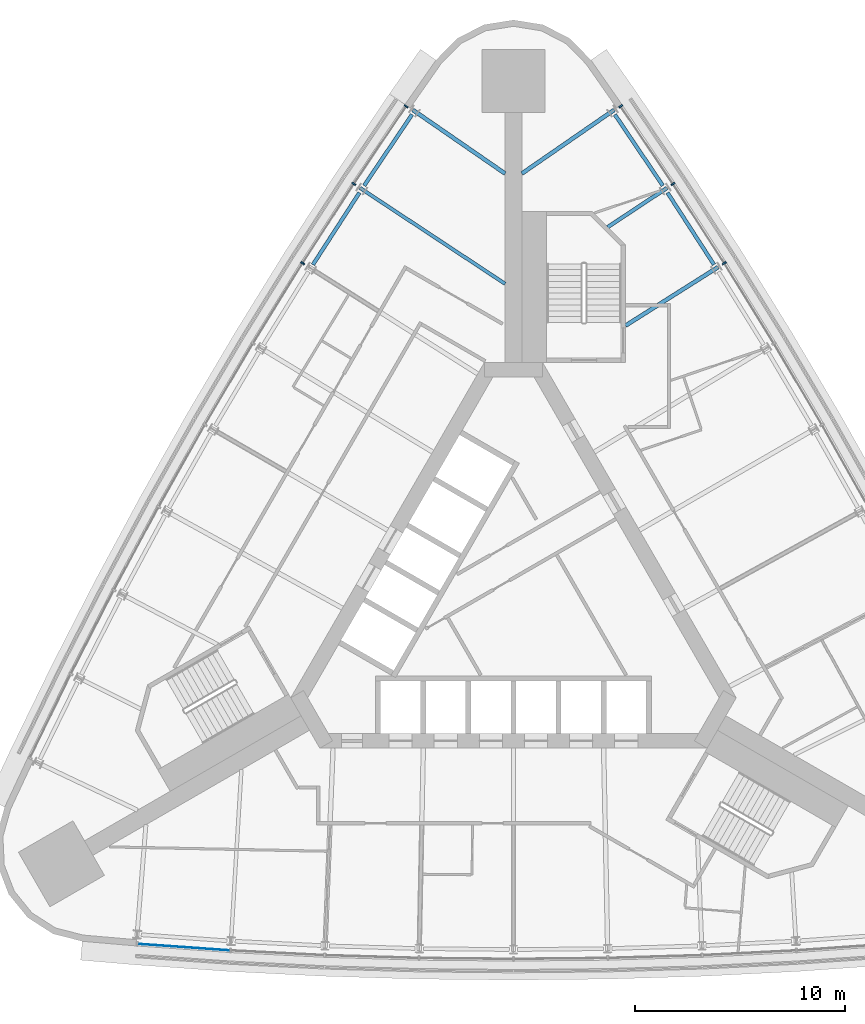
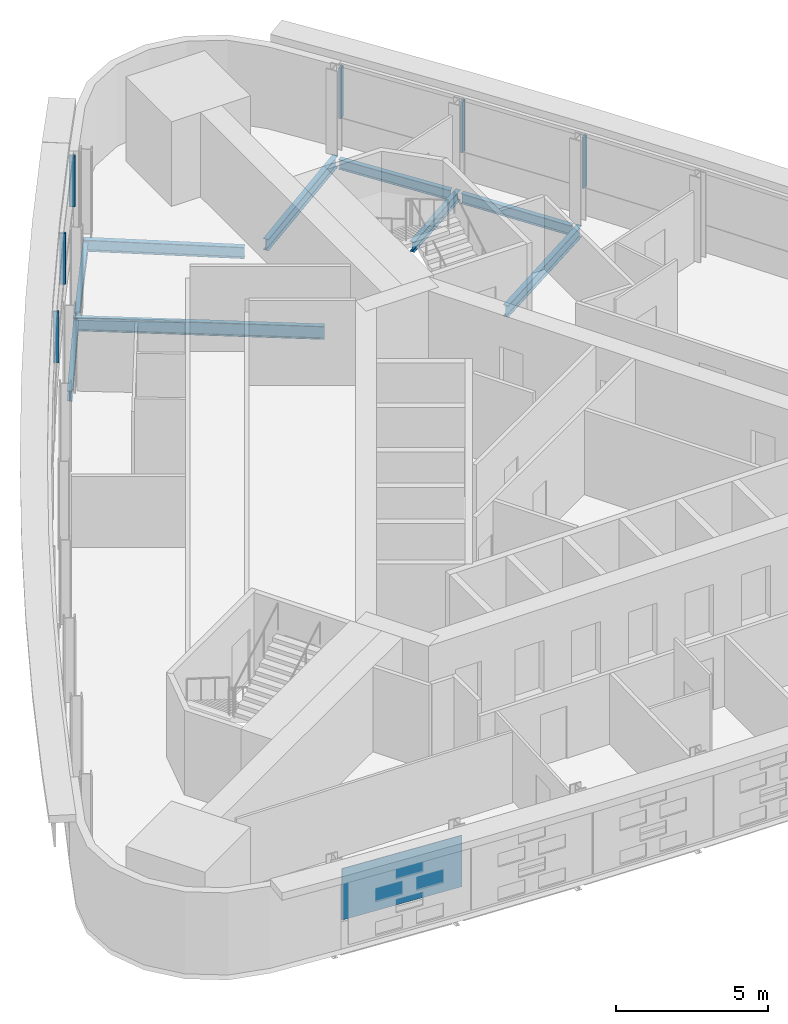
# One storey, part 5 of 11: 9 beams, 6 members, 1 plate, 3 elements without a shape of their own.
"""IFC4 building model written with IfcOpenShell, lengths in metres."""

import ifcopenshell
import ifcopenshell.guid

model = None  # the IFC model being written
_history = None  # IfcOwnerHistory: only IFC2X3 demands one
_inside = {}  # id of a spatial element -> (the spatial element, [elements in it])
_under = {}  # id of a project, library or spatial element -> (it, [spatial elements below it])
_declared = {}  # id of a project -> (the project, [libraries it declares])
_typed = {}  # id of a type object -> (the type object, [elements of that type])
_made_of = {}  # id of a material, layer set ... -> (it, [elements and type objects made of it])


def new_model(schema):
    """Start an empty IFC model of exactly this schema.

    Asked for "IFC4X3", IfcOpenShell would pick the latest addendum, in which some entities
    have other attributes; the version numbers below select the first issue.
    IFC2X3 requires an IfcOwnerHistory on every rooted entity: one is made here for all.
    """
    global model, _history
    if schema == "IFC4X3":
        model = ifcopenshell.file(schema_version=(4, 3, 0, 0))
    else:
        model = ifcopenshell.file(schema=schema)
    _inside.clear()
    _under.clear()
    _declared.clear()
    _typed.clear()
    _made_of.clear()
    _history = None
    if model.schema == "IFC2X3":
        org = make("IfcOrganization", Name="unknown")
        user = make(
            "IfcPersonAndOrganization",
            ThePerson=make("IfcPerson", FamilyName="unknown"),
            TheOrganization=org,
        )
        app = make(
            "IfcApplication",
            ApplicationDeveloper=org,
            Version="unknown",
            ApplicationFullName="unknown",
            ApplicationIdentifier="unknown",
        )
        _history = make(
            "IfcOwnerHistory",
            OwningUser=user,
            OwningApplication=app,
            ChangeAction="ADDED",
            CreationDate=0,
        )
    return model


def make(cls, **values):
    """One entity of the class cls with the attributes given. An attribute that is None is left unset."""
    return model.create_entity(
        cls, **{name: value for name, value in values.items() if value is not None}
    )


def rooted(cls, **values):
    """An entity with a GlobalId (a new one), such as an element, a storey or a relation."""
    return make(cls, GlobalId=ifcopenshell.guid.new(), OwnerHistory=_history, **values)


def si_unit(unit_type, name, prefix=None):
    """IfcSIUnit, for example si_unit("LENGTHUNIT", "METRE", prefix="MILLI")."""
    return make("IfcSIUnit", UnitType=unit_type, Prefix=prefix, Name=name)


def assignment(units):
    """IfcUnitAssignment: the units of a project."""
    return None if units is None else make("IfcUnitAssignment", Units=units)


def point(xyz):
    """IfcCartesianPoint."""
    return None if xyz is None else make("IfcCartesianPoint", Coordinates=xyz)


def direction(xyz):
    """IfcDirection."""
    return None if xyz is None else make("IfcDirection", DirectionRatios=xyz)


def frame(location, z_axis=None, x_axis=None):
    """IfcAxis2Placement3D, a coordinate frame: its origin and axes. An axis left out is left unset."""
    return make(
        "IfcAxis2Placement3D",
        Location=point(location),
        Axis=direction(z_axis),
        RefDirection=direction(x_axis),
    )


def frame_2d(location, x_axis=None):
    """IfcAxis2Placement2D, a coordinate frame in the plane: its origin and x axis."""
    return make(
        "IfcAxis2Placement2D", Location=point(location), RefDirection=direction(x_axis)
    )


def origin():
    """The frame at (0, 0, 0) with its axes left unset."""
    return frame((0.0, 0.0, 0.0))


def origin_2d():
    """The frame at (0, 0) in the plane with its x axis left unset."""
    return frame_2d((0.0, 0.0))


def place(relative_to, where):
    """IfcLocalPlacement: puts the frame where relative to a parent placement (None: the world)."""
    return make(
        "IfcLocalPlacement", PlacementRelTo=relative_to, RelativePlacement=where
    )


def context(
    kind, dimensions, precision=None, world=None, true_north=None, identifier=None
):
    """IfcGeometricRepresentationContext, for example the 3D "Model" context."""
    return make(
        "IfcGeometricRepresentationContext",
        ContextIdentifier=identifier,
        ContextType=kind,
        CoordinateSpaceDimension=dimensions,
        Precision=precision,
        WorldCoordinateSystem=world,
        TrueNorth=true_north,
    )


def subcontext(parent, identifier, kind, view, scale=None):
    """IfcGeometricRepresentationSubContext, for example "Body" below "Model"."""
    return make(
        "IfcGeometricRepresentationSubContext",
        ContextIdentifier=identifier,
        ContextType=kind,
        ParentContext=parent,
        TargetScale=scale,
        TargetView=view,
    )


def project(units=None, contexts=None):
    """IfcProject with its units and contexts."""
    return rooted(
        "IfcProject",
        Name="project",
        RepresentationContexts=contexts,
        UnitsInContext=assignment(units),
    )


def spatial(cls, under=None, at=None, **own):
    """A site, building, storey or space (cls), placed at a placement, below another one or the project."""
    s = rooted(cls, ObjectPlacement=at, **own)
    if under is not None:
        _under.setdefault(under.id(), (under, []))[1].append(s)
    return s


def profile(cls, at=None, kind="AREA", **sizes):
    """A parametric profile (cls). Its sizes go by their IFC names, for example OverallWidth=200.0."""
    return make(cls, ProfileType=kind, Position=at, **sizes)


def rectangle(**sizes):
    """IfcRectangleProfileDef."""
    return profile("IfcRectangleProfileDef", **sizes)


def i_section(**sizes):
    """IfcIShapeProfileDef."""
    return profile("IfcIShapeProfileDef", **sizes)


def extrude(swept, where, along, depth):
    """IfcExtrudedAreaSolid: the profile swept, set in the frame where, extruded along a direction by depth."""
    return make(
        "IfcExtrudedAreaSolid",
        SweptArea=swept,
        Position=where,
        ExtrudedDirection=direction(along),
        Depth=depth,
    )


def shape(context_of_items, identifier, shape_type, items):
    """IfcShapeRepresentation: the items that make up one representation, for example the "Body"."""
    return make(
        "IfcShapeRepresentation",
        ContextOfItems=context_of_items,
        RepresentationIdentifier=identifier,
        RepresentationType=shape_type,
        Items=items,
    )


def material(Name=None, Category=None):
    """IfcMaterial."""
    return make("IfcMaterial", Name=Name, Category=Category)


def layer(
    of_material, thickness, ventilated=None, Name=None, Category=None, Priority=None
):
    """IfcMaterialLayer: one layer of a wall or slab, of a material (None: an air gap)."""
    return make(
        "IfcMaterialLayer",
        Material=of_material,
        LayerThickness=thickness,
        IsVentilated=ventilated,
        Name=Name,
        Category=Category,
        Priority=Priority,
    )


def layer_set(layers, Name=None):
    """IfcMaterialLayerSet."""
    return make("IfcMaterialLayerSet", MaterialLayers=layers, LayerSetName=Name)


def material_profile(
    of_material, cross_section, Name=None, Category=None, Priority=None
):
    """IfcMaterialProfile: a cross section and its material."""
    return make(
        "IfcMaterialProfile",
        Name=Name,
        Material=of_material,
        Profile=cross_section,
        Priority=Priority,
        Category=Category,
    )


def profile_set(profiles, Name=None, composite=None):
    """IfcMaterialProfileSet."""
    return make(
        "IfcMaterialProfileSet",
        Name=Name,
        MaterialProfiles=profiles,
        CompositeProfile=composite,
    )


def made_of(thing, what):
    """Note that an element or type object is made of a material, layer set ...; save() writes the relation."""
    if what is not None:
        _made_of.setdefault(what.id(), (what, []))[1].append(thing)
    return thing


def type_object(cls, material=None, **own):
    """A type object (cls), such as IfcWallType, which elements share."""
    return made_of(rooted(cls, **own), material)


def element(
    cls,
    number,
    at=None,
    inside=None,
    cuts=None,
    type_object=None,
    material=None,
    context=None,
    identifier="Body",
    shape_type=None,
    held_by="IfcProductDefinitionShape",
    body=None,
    shapes=None,
    **own,
):
    """One element of the class cls, such as IfcWall. Its Tag is "e" and its number.

    at: its placement. inside: the storey or other place that contains it. cuts: it is an
    opening in that element (IfcRelVoidsElement). A single representation is given by context,
    identifier, shape_type and body (its items); several are given by shapes. held_by: the class
    of the entity that holds the representations. save() writes the other relations.
    """
    e = rooted(cls, Tag="e%d" % number, ObjectPlacement=at, **own)
    if body is not None:
        shapes = [shape(context, identifier, shape_type, body)]
    if shapes is not None:
        e.Representation = make(held_by, Representations=shapes)
    if inside is not None:
        _inside.setdefault(inside.id(), (inside, []))[1].append(e)
    if cuts is not None:
        rooted(
            "IfcRelVoidsElement", RelatingBuildingElement=cuts, RelatedOpeningElement=e
        )
    if type_object is not None:
        _typed.setdefault(type_object.id(), (type_object, []))[1].append(e)
    return made_of(e, material)


def aggregate(whole, parts):
    """IfcRelAggregates: a whole, such as a stair, and the parts it consists of."""
    return rooted("IfcRelAggregates", RelatingObject=whole, RelatedObjects=parts)


def save(model, path):
    """Write the relations noted so far, then the file.

    IfcRelAggregates (storeys below a building ...), IfcRelContainedInSpatialStructure (elements
    in a storey), IfcRelDefinesByType, IfcRelAssociatesMaterial and IfcRelDeclares: one each for
    every whole, place, type object, material and project.
    """
    for whole, parts in _under.values():
        aggregate(whole, parts)
    for where, things in _inside.values():
        rooted(
            "IfcRelContainedInSpatialStructure",
            RelatedElements=things,
            RelatingStructure=where,
        )
    for kind, things in _typed.values():
        rooted("IfcRelDefinesByType", RelatedObjects=things, RelatingType=kind)
    for what, things in _made_of.values():
        rooted("IfcRelAssociatesMaterial", RelatedObjects=things, RelatingMaterial=what)
    for by, libraries in _declared.values():
        rooted("IfcRelDeclares", RelatingContext=by, RelatedDefinitions=libraries)
    model.write(path)


model = new_model("IFC4")

# Units and contexts
model_context = context("Model", 3, precision=1e-05, world=origin(), true_north=direction((0.0, 1.0)))
body_context = subcontext(model_context, "Body", "Model", "MODEL_VIEW")
ifc_project = project(units=[si_unit("LENGTHUNIT", "METRE"), si_unit("AREAUNIT", "SQUARE_METRE"), si_unit("VOLUMEUNIT", "CUBIC_METRE"), si_unit("PLANEANGLEUNIT", "RADIAN"), si_unit("MASSUNIT", "GRAM", prefix="KILO")], contexts=[model_context])

# Site, building, storey
site_placement = place(None, origin())
site = spatial("IfcSite", under=ifc_project, at=site_placement, CompositionType="ELEMENT")
building_placement = place(site_placement, origin())
building = spatial("IfcBuilding", under=site, at=building_placement, Name="Noor Cloister Tower", CompositionType="ELEMENT")
storey_placement = place(building_placement, frame((0.0, 0.0, 113.10009765625)))
storey = spatial("IfcBuildingStorey", under=building, at=storey_placement, Name="L29", CompositionType="ELEMENT", Elevation=113.10009765625)

# Curtain wall, members
ifc_material_1 = material(Name="Aluminium 6063-T6 anodised", Category="aluminium")
curtain_wall_type = type_object("IfcCurtainWallType", Name="Ribbon curtain wall, lower tower CW1", PredefinedType="NOTDEFINED", material=ifc_material_1)
curtain_wall_1_placement = place(storey_placement, origin())
curtain_wall_1 = element("IfcCurtainWall", 1, at=curtain_wall_1_placement, inside=storey, type_object=curtain_wall_type, Name="CW1 L29 NW run 1", PredefinedType="NOTDEFINED")
ifc_material_2 = material(Name="Aluminium 6063-T6 anodised", Category="aluminium")
ifc_material_profile_1 = material_profile(ifc_material_2, rectangle(XDim=0.199951171875, YDim=0.080078125, at=origin_2d()), Name="200 x 80 mullion")
ifc_profile_set_1 = profile_set([ifc_material_profile_1], Name="Aluminium 6063-T6 anodised")
member_type = type_object("IfcMemberType", Name="Mullion CW1 80 x 200", PredefinedType="MULLION", material=ifc_profile_set_1)
member_1_placement = place(storey_placement, frame((-5.1103515625, 23.65869140625, 1.099853515625), z_axis=(0.0, 0.0, 1.0), x_axis=(0.828778860089, -0.559576269216, 0.0)))
member_1 = element("IfcMember", 2, at=member_1_placement, type_object=member_type, Name="CW1 mullion 1", PredefinedType="MULLION", context=body_context, shape_type="SweptSolid", body=[
    extrude(rectangle(XDim=0.199951171875, YDim=0.080078125, at=origin_2d()), origin(), (0.0, 0.0, 1.0), 2.050048828125),
])
member_2_placement = place(storey_placement, frame((-7.60546875, 19.963134765625, 1.099853515625), z_axis=(0.0, 0.0, 1.0), x_axis=(0.834354797928, -0.551227785198, 0.0)))
member_2 = element("IfcMember", 3, at=member_2_placement, type_object=member_type, Name="CW1 mullion 2", PredefinedType="MULLION", context=body_context, shape_type="SweptSolid", body=[
    extrude(rectangle(XDim=0.199951171875, YDim=0.080078125, at=origin_2d()), origin(), (0.0, 0.0, 1.0), 2.050048828125),
])
member_3_placement = place(storey_placement, frame((-10.047119140625, 16.185546875, 1.099853515625), z_axis=(0.0, 0.0, 1.0), x_axis=(0.845253840567, -0.53436499231, 0.0)))
member_3 = element("IfcMember", 4, at=member_3_placement, type_object=member_type, Name="CW1 mullion 3", PredefinedType="MULLION", context=body_context, shape_type="SweptSolid", body=[
    extrude(rectangle(XDim=0.199951171875, YDim=0.080078125, at=origin_2d()), origin(), (0.0, 0.0, 1.0), 2.050048828125),
])
aggregate(curtain_wall_1, [member_1, member_2, member_3])

curtain_wall_2_placement = place(storey_placement, origin())
curtain_wall_2 = element("IfcCurtainWall", 5, at=curtain_wall_2_placement, inside=storey, type_object=curtain_wall_type, Name="CW1 L29 NE run 3", PredefinedType="NOTDEFINED")
member_4_placement = place(storey_placement, frame((10.047119140625, 16.185546875, 1.099853515625), z_axis=(0.0, 0.0, 1.0), x_axis=(-0.845253840567, -0.53436499231, 0.0)))
member_4 = element("IfcMember", 6, at=member_4_placement, type_object=member_type, Name="CW1 mullion 7", PredefinedType="MULLION", context=body_context, shape_type="SweptSolid", body=[
    extrude(rectangle(XDim=0.199951171875, YDim=0.080078125, at=origin_2d()), origin(), (0.0, 0.0, 1.0), 2.050048828125),
])
member_5_placement = place(storey_placement, frame((7.60546875, 19.963134765625, 1.099853515625), z_axis=(0.0, 0.0, 1.0), x_axis=(-0.834354797928, -0.551227785198, 0.0)))
member_5 = element("IfcMember", 7, at=member_5_placement, type_object=member_type, Name="CW1 mullion 8", PredefinedType="MULLION", context=body_context, shape_type="SweptSolid", body=[
    extrude(rectangle(XDim=0.199951171875, YDim=0.080078125, at=origin_2d()), origin(), (0.0, 0.0, 1.0), 2.050048828125),
])
member_6_placement = place(storey_placement, frame((5.1103515625, 23.65869140625, 1.099853515625), z_axis=(0.0, 0.0, 1.0), x_axis=(-0.828778860089, -0.559576269216, 0.0)))
member_6 = element("IfcMember", 8, at=member_6_placement, type_object=member_type, Name="CW1 mullion 9", PredefinedType="MULLION", context=body_context, shape_type="SweptSolid", body=[
    extrude(rectangle(XDim=0.199951171875, YDim=0.080078125, at=origin_2d()), origin(), (0.0, 0.0, 1.0), 2.050048828125),
])
aggregate(curtain_wall_2, [member_4, member_5, member_6])

# Beams
ifc_material_3 = material(Name="Steel ASTM A992 Gr 50", Category="steel")
ifc_material_profile_2 = material_profile(ifc_material_3, i_section(OverallWidth=0.177978515625, OverallDepth=0.406005859375, WebThickness=0.0078125, FlangeThickness=0.0126953125, FilletRadius=0.01025390625, at=origin_2d()), Name="W410x60")
ifc_profile_set_2 = profile_set([ifc_material_profile_2], Name="Steel ASTM A992 Gr 50")
beam_type_1 = type_object("IfcBeamType", Name="Radial beam W410x60", PredefinedType="BEAM", material=ifc_profile_set_2)
beam_1_placement = place(storey_placement, frame((7.31396484375, 19.7705078125, -0.403076171875), z_axis=(-0.834372028008, -0.55120170435, 0.0), x_axis=(0.55120170435, -0.834372028008, 0.0)))
element("IfcBeam", 9, at=beam_1_placement, inside=storey, type_object=beam_type_1, Name="Radial beam NE 08 L29", PredefinedType="BEAM", context=body_context, shape_type="SweptSolid", body=[
    extrude(i_section(OverallWidth=0.177978515625, OverallDepth=0.406005859375, WebThickness=0.0078125, FlangeThickness=0.0126953125, FilletRadius=0.01025390625, at=origin_2d()), origin(), (0.0, 0.0, 1.0), 3.38671875),
])
ifc_material_4 = material(Name="Steel ASTM A992 Gr 50", Category="steel")
ifc_material_profile_3 = material_profile(ifc_material_4, i_section(OverallWidth=0.19091796875, OverallDepth=0.45703125, WebThickness=0.009033203125, FlangeThickness=0.014404296875, FilletRadius=0.01025390625, at=origin_2d()), Name="W460x74")
ifc_profile_set_3 = profile_set([ifc_material_profile_3], Name="Steel ASTM A992 Gr 50")
beam_type_2 = type_object("IfcBeamType", Name="Radial beam W460x74", PredefinedType="BEAM", material=ifc_profile_set_3)
beam_2_placement = place(storey_placement, frame((-4.801025390625, 23.492431640625, -0.4287109375), z_axis=(0.823136247007, -0.567843921217, 0.0), x_axis=(0.567843921217, 0.823136247007, 0.0)))
element("IfcBeam", 10, at=beam_2_placement, inside=storey, type_object=beam_type_2, Name="Radial beam NW 01 L29", PredefinedType="BEAM", context=body_context, shape_type="SweptSolid", body=[
    extrude(i_section(OverallWidth=0.19091796875, OverallDepth=0.45703125, WebThickness=0.009033203125, FlangeThickness=0.014404296875, FilletRadius=0.01025390625, at=origin_2d()), origin(), (0.0, 0.0, 1.0), 5.3466796875),
])
beam_3_placement = place(storey_placement, frame((9.751708984375, 15.998779296875, -0.4287109375), z_axis=(-0.845256745033, -0.534360398024, 0.0), x_axis=(0.534360398024, -0.845256745033, 0.0)))
element("IfcBeam", 11, at=beam_3_placement, inside=storey, type_object=beam_type_2, Name="Radial beam NE 07 L29", PredefinedType="BEAM", context=body_context, shape_type="SweptSolid", body=[
    extrude(i_section(OverallWidth=0.19091796875, OverallDepth=0.45703125, WebThickness=0.009033203125, FlangeThickness=0.014404296875, FilletRadius=0.01025390625, at=origin_2d()), origin(), (0.0, 0.0, 1.0), 5.224365234375),
])
beam_4_placement = place(storey_placement, frame((4.801025390625, 23.492431640625, -0.4287109375), z_axis=(-0.823136247007, -0.567843921217, 0.0), x_axis=(0.567843921217, -0.823136247007, 0.0)))
element("IfcBeam", 12, at=beam_4_placement, inside=storey, type_object=beam_type_2, Name="Radial beam NE 09 L29", PredefinedType="BEAM", context=body_context, shape_type="SweptSolid", body=[
    extrude(i_section(OverallWidth=0.19091796875, OverallDepth=0.45703125, WebThickness=0.009033203125, FlangeThickness=0.014404296875, FilletRadius=0.01025390625, at=origin_2d()), origin(), (0.0, 0.0, 1.0), 5.3466796875),
])
ifc_material_5 = material(Name="Steel ASTM A992 Gr 50", Category="steel")
ifc_material_profile_4 = material_profile(ifc_material_5, i_section(OverallWidth=0.166015625, OverallDepth=0.528076171875, WebThickness=0.009765625, FlangeThickness=0.013671875, FilletRadius=0.0126953125, at=origin_2d()), Name="W530x74")
ifc_profile_set_4 = profile_set([ifc_material_profile_4], Name="Steel ASTM A992 Gr 50")
beam_type_3 = type_object("IfcBeamType", Name="Radial beam W530x74", PredefinedType="BEAM", material=ifc_profile_set_4)
beam_5_placement = place(storey_placement, frame((-7.31396484375, 19.7705078125, -0.464111328125), z_axis=(0.834354677874, -0.551227966915, 0.0), x_axis=(0.551227966915, 0.834354677874, 0.0)))
element("IfcBeam", 13, at=beam_5_placement, inside=storey, type_object=beam_type_3, Name="Radial beam NW 02 L29", PredefinedType="BEAM", context=body_context, shape_type="SweptSolid", body=[
    extrude(i_section(OverallWidth=0.166015625, OverallDepth=0.528076171875, WebThickness=0.009765625, FlangeThickness=0.013671875, FilletRadius=0.0126953125, at=origin_2d()), origin(), (0.0, 0.0, 1.0), 8.28662109375),
])
ifc_material_6 = material(Name="Steel ASTM A992 Gr 50", Category="steel")
ifc_material_profile_5 = material_profile(ifc_material_6, i_section(OverallWidth=0.177978515625, OverallDepth=0.406005859375, WebThickness=0.0078125, FlangeThickness=0.0126953125, FilletRadius=0.01025390625, at=origin_2d()), Name="W410x60")
ifc_profile_set_5 = profile_set([ifc_material_profile_5], Name="Steel ASTM A992 Gr 50")
beam_type_4 = type_object("IfcBeamType", Name="Spandrel beam W410x60", PredefinedType="SPANDREL", material=ifc_profile_set_5)
for number, where, z_axis, x_axis, name in (
    (14, (-4.83056640625, 23.269287109375, -0.403076171875), (-0.559555937796, -0.828792587127, 0.0), (0.828792587127, -0.559555937796, 0.0), "Spandrel beam NW 01 L29"),
    (15, (-7.3388671875, 19.546630859375, -0.403076171875), (-0.542832704681, -0.839840850833, 0.0), (0.839840850833, -0.542832704681, 0.0), "Spandrel beam NW 02 L29"),
    (16, (9.557861328125, 16.113525390625, -0.403076171875), (-0.542832704681, 0.839840850833, 0.0), (-0.839840850833, -0.542832704681, 0.0), "Spandrel beam NE 07 L29"),
    (17, (7.117919921875, 19.88134765625, -0.403076171875), (-0.559555937796, 0.828792587127, 0.0), (-0.828792587127, -0.559555937796, 0.0), "Spandrel beam NE 08 L29"),
):
    element("IfcBeam", number, at=place(storey_placement, frame(where, z_axis=z_axis, x_axis=x_axis)), inside=storey, type_object=beam_type_4, Name=name, PredefinedType="SPANDREL", context=body_context, shape_type="SweptSolid", body=[
        extrude(i_section(OverallWidth=0.177978515625, OverallDepth=0.406005859375, WebThickness=0.0078125, FlangeThickness=0.0126953125, FilletRadius=0.01025390625, at=origin_2d()), origin(), (0.0, 0.0, 1.0), 4.087890625),
    ])

# Curtain wall, plate
curtain_wall_3_placement = place(storey_placement, origin())
curtain_wall_3 = element("IfcCurtainWall", 18, at=curtain_wall_3_placement, inside=storey, type_object=curtain_wall_type, Name="CW1 L29 S run 2", PredefinedType="NOTDEFINED")
ifc_material_7 = material(Name="Clear laminated glass 2 x 8 mm", Category="glass")
ifc_layer = layer(ifc_material_7, 0.028076171875)
ifc_layer_set = layer_set([ifc_layer], Name="Glass panel CW1")
plate_type = type_object("IfcPlateType", Name="Glass panel CW1", PredefinedType="CURTAIN_PANEL", material=ifc_layer_set)
plate_placement = place(storey_placement, frame((-15.709716796875, -16.41162109375, 1.08984375), z_axis=(0.0, 0.0, 1.0), x_axis=(0.997531681565, -0.070217834452, 0.0)))
plate = element("IfcPlate", 19, at=plate_placement, type_object=plate_type, Name="CW1 glass panel 1", PredefinedType="CURTAIN_PANEL", context=body_context, shape_type="SweptSolid", body=[
    extrude(rectangle(XDim=4.39892578125, YDim=0.028076171875, at=origin_2d()), origin(), (0.0, 0.0, 1.0), 2.070068359375),
])
aggregate(curtain_wall_3, [plate])

save(model, "model.ifc")
